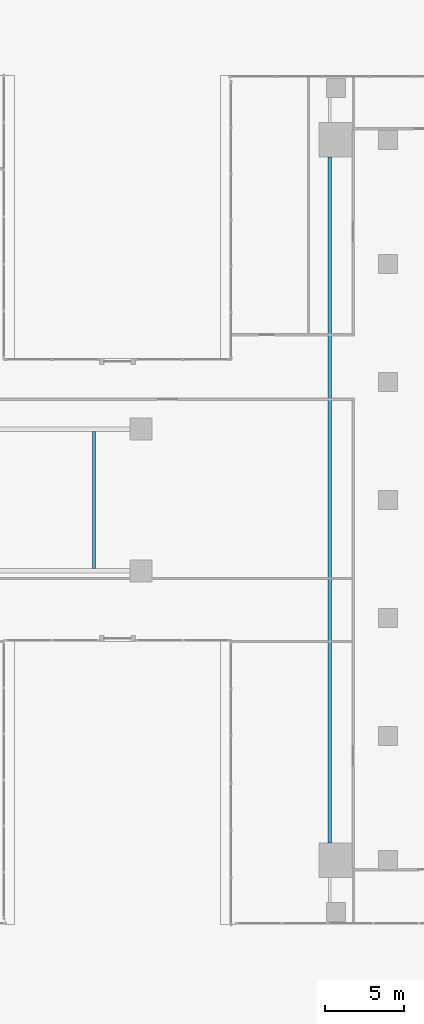
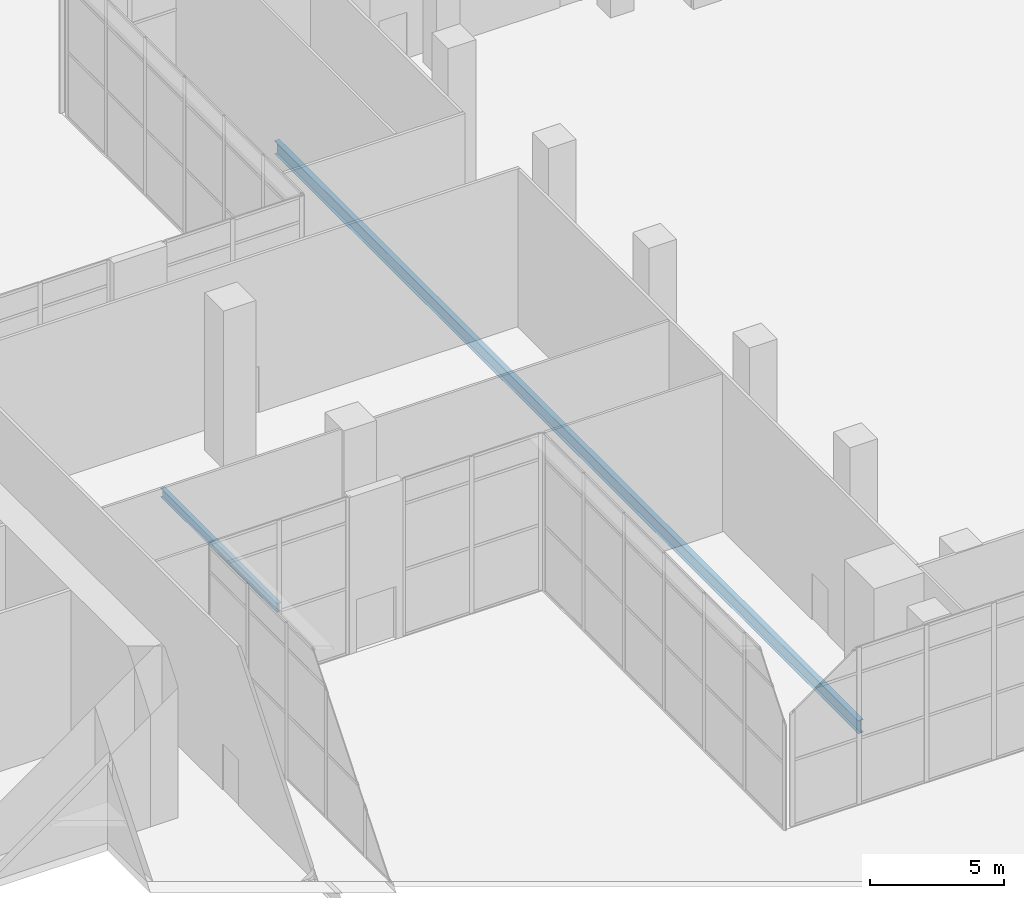
# One storey, part 22 of 52: 2 beams.
"""IFC4 building model written with IfcOpenShell, lengths in metres."""

from ifc_helpers import new_model, si_unit, direction, frame, origin, origin_2d, place, context, subcontext, project, spatial, i_section, extrude, source, transform, mapped, material, material_profile, profile_set, type_object, element, save


model = new_model("IFC4")

# Units and contexts
model_context = context("Model", 3, precision=1e-05, world=origin(), true_north=direction((0.0, 1.0)))
body_context = subcontext(model_context, "Body", "Model", "MODEL_VIEW")
ifc_project = project(units=[si_unit("LENGTHUNIT", "METRE"), si_unit("AREAUNIT", "SQUARE_METRE"), si_unit("VOLUMEUNIT", "CUBIC_METRE"), si_unit("PLANEANGLEUNIT", "RADIAN"), si_unit("MASSUNIT", "GRAM", prefix="KILO")], contexts=[model_context])

# Site, building, storey
site_placement = place(None, origin())
site = spatial("IfcSite", under=ifc_project, at=site_placement, CompositionType="ELEMENT")
building_placement = place(site_placement, origin())
building = spatial("IfcBuilding", under=site, at=building_placement, Name="Khomas Fold Tower", CompositionType="ELEMENT")
storey_placement = place(building_placement, origin())
storey = spatial("IfcBuildingStorey", under=building, at=storey_placement, Name="L00", CompositionType="ELEMENT", Elevation=0.0)

# Beams
ifc_material_1 = material(Name="Steel S355", Category="steel")
ifc_material_profile_1 = material_profile(ifc_material_1, i_section(OverallWidth=0.219970703125, OverallDepth=0.60009765625, WebThickness=0.011962890625, FlangeThickness=0.01904296875, at=origin_2d()), Name="IPE 600")
ifc_profile_set_1 = profile_set([ifc_material_profile_1], Name="Steel S355")
beam_type_1 = type_object("IfcBeamType", Name="IPE 600 beam JB7", PredefinedType="BEAM", material=ifc_profile_set_1)
shared_shape_1 = source(origin(), body_context, "Body", "SweptSolid", [
    extrude(i_section(OverallWidth=0.219970703125, OverallDepth=0.60009765625, WebThickness=0.011962890625, FlangeThickness=0.01904296875, at=origin_2d()), origin(), (0.0, 0.0, 1.0), 43.60009765625),
])
beam_1_placement = place(storey_placement, frame((49.5, 5.199951171875, -0.64990234375), z_axis=(0.0, 1.0, 0.0), x_axis=(-1.0, 0.0, 0.0)))
element("IfcBeam", 1, at=beam_1_placement, inside=storey, type_object=beam_type_1, Name="JB7", PredefinedType="BEAM", context=body_context, shape_type="MappedRepresentation", body=[
    mapped(shared_shape_1, transform((0.0, 0.0, 0.0))),
])
ifc_material_2 = material(Name="Steel S355", Category="steel")
ifc_material_profile_2 = material_profile(ifc_material_2, i_section(OverallWidth=0.179931640625, OverallDepth=0.39990234375, WebThickness=0.008544921875, FlangeThickness=0.013427734375, at=origin_2d()), Name="IPE 400")
ifc_profile_set_2 = profile_set([ifc_material_profile_2], Name="Steel S355")
beam_type_2 = type_object("IfcBeamType", Name="IPE 400 beam JB3", PredefinedType="BEAM", material=ifc_profile_set_2)
shared_shape_2 = source(origin(), body_context, "Body", "SweptSolid", [
    extrude(i_section(OverallWidth=0.179931640625, OverallDepth=0.39990234375, WebThickness=0.008544921875, FlangeThickness=0.013427734375, at=origin_2d()), origin(), (0.0, 0.0, 1.0), 8.7001953125),
])
beam_2_placement = place(storey_placement, frame((34.5, 22.64990234375, -0.550048828125), z_axis=(0.0, 1.0, 0.0), x_axis=(-1.0, 0.0, 0.0)))
element("IfcBeam", 2, at=beam_2_placement, inside=storey, type_object=beam_type_2, Name="JB3", PredefinedType="BEAM", context=body_context, shape_type="MappedRepresentation", body=[
    mapped(shared_shape_2, transform((0.0, 0.0, 0.0))),
])

save(model, "model.ifc")
